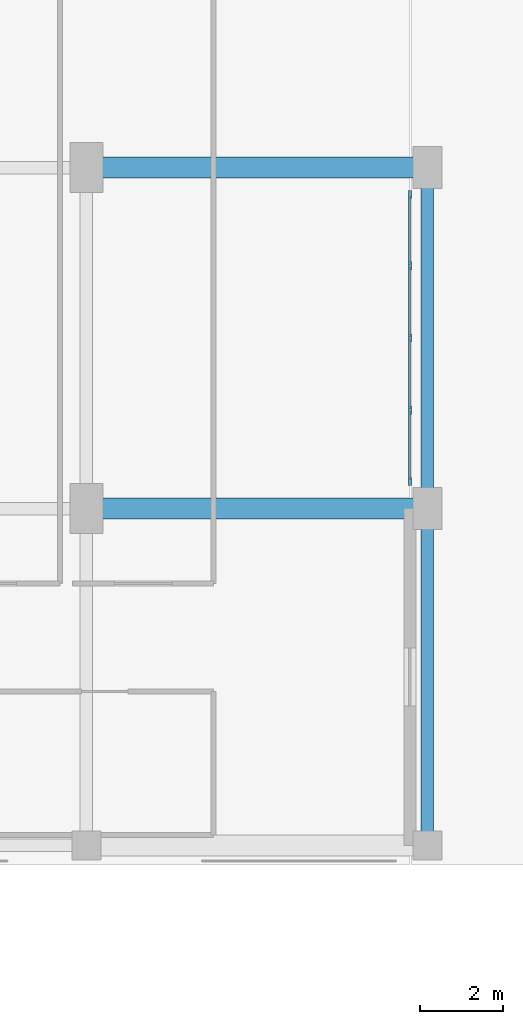
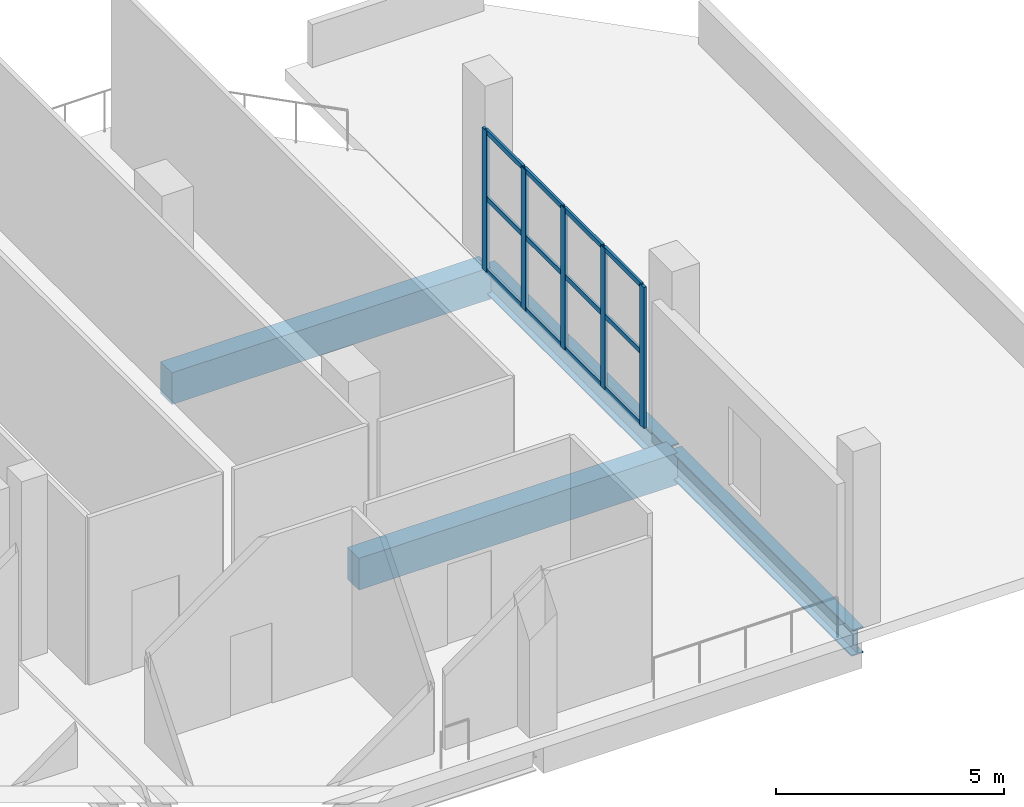
# One storey, part 72 of 142: 17 members, 4 beams, 1 element without a shape of its own.
"""IFC4 building model written with IfcOpenShell, lengths in metres."""

from ifc_helpers import new_model, si_unit, direction, frame, origin, origin_2d, place, context, subcontext, project, spatial, rectangle, i_section, extrude, material, material_profile, profile_set, type_object, element, aggregate, save


model = new_model("IFC4")

# Units and contexts
model_context = context("Model", 3, precision=1e-05, world=origin(), true_north=direction((0.0, 1.0)))
body_context = subcontext(model_context, "Body", "Model", "MODEL_VIEW")
ifc_project = project(units=[si_unit("LENGTHUNIT", "METRE"), si_unit("AREAUNIT", "SQUARE_METRE"), si_unit("VOLUMEUNIT", "CUBIC_METRE"), si_unit("PLANEANGLEUNIT", "RADIAN"), si_unit("MASSUNIT", "GRAM", prefix="KILO")], contexts=[model_context])

# Site, building, storey
site_placement = place(None, origin())
site = spatial("IfcSite", under=ifc_project, at=site_placement, CompositionType="ELEMENT")
building_placement = place(site_placement, origin())
building = spatial("IfcBuilding", under=site, at=building_placement, Name="Koshinbarg Plaza Stadium", CompositionType="ELEMENT")
storey_placement = place(building_placement, frame((0.0, 0.0, 10.199951171875)))
storey = spatial("IfcBuildingStorey", under=building, at=storey_placement, Name="L02", CompositionType="ELEMENT", Elevation=10.199951171875)

# Beams
ifc_material_1 = material(Name="Concrete C40/50", Category="concrete")
ifc_material_profile_1 = material_profile(ifc_material_1, rectangle(XDim=0.5, YDim=0.85009765625, at=origin_2d()), Name="RC 500x850")
ifc_profile_set_1 = profile_set([ifc_material_profile_1], Name="Concrete C40/50")
beam_type_1 = type_object("IfcBeamType", Name="BM-RCG-05", PredefinedType="USERDEFINED", material=ifc_profile_set_1)
for number, where, z_axis, x_axis, name in (
    (1, (227.659912109375, 135.60009765625, -0.724853515625), (1.0, 0.0, 0.0), (0.0, 1.0, 0.0), "L02 X girder T/23-24"),
    (2, (227.659912109375, 143.800048828125, -0.724853515625), (1.0, 0.0, 0.0), (0.0, 1.0, 0.0), "L02 X girder U/23-24"),
):
    element("IfcBeam", number, at=place(storey_placement, frame(where, z_axis=z_axis, x_axis=x_axis)), inside=storey, type_object=beam_type_1, Name=name, ObjectType="GIRDER", PredefinedType="USERDEFINED", context=body_context, shape_type="SweptSolid", body=[
        extrude(rectangle(XDim=0.5, YDim=0.85009765625, at=origin_2d()), origin(), (0.0, 0.0, 1.0), 8.080078125),
    ])
ifc_material_2 = material(Name="Steel S355", Category="steel")
ifc_material_profile_2 = material_profile(ifc_material_2, i_section(OverallWidth=0.300048828125, OverallDepth=0.699951171875, WebThickness=0.01708984375, FlangeThickness=0.031982421875, at=origin_2d()), Name="HEB 700")
ifc_profile_set_2 = profile_set([ifc_material_profile_2], Name="Steel S355")
beam_type_2 = type_object("IfcBeamType", Name="BM-SGIR-03", PredefinedType="USERDEFINED", material=ifc_profile_set_2)
beam_1_placement = place(storey_placement, frame((235.800048828125, 127.56005859375, -0.64990234375), z_axis=(0.0, 1.0, 0.0), x_axis=(-1.0, 0.0, 0.0)))
element("IfcBeam", 3, at=beam_1_placement, inside=storey, type_object=beam_type_2, Name="L02 Y girder 24/S-T", ObjectType="GIRDER", PredefinedType="USERDEFINED", context=body_context, shape_type="SweptSolid", body=[
    extrude(i_section(OverallWidth=0.300048828125, OverallDepth=0.699951171875, WebThickness=0.01708984375, FlangeThickness=0.031982421875, at=origin_2d()), origin(), (0.0, 0.0, 1.0), 7.97998046875),
])
beam_2_placement = place(storey_placement, frame((235.800048828125, 135.659912109375, -0.64990234375), z_axis=(0.0, 1.0, 0.0), x_axis=(-1.0, 0.0, 0.0)))
element("IfcBeam", 4, at=beam_2_placement, inside=storey, type_object=beam_type_2, Name="L02 Y girder 24/T-U", ObjectType="GIRDER", PredefinedType="USERDEFINED", context=body_context, shape_type="SweptSolid", body=[
    extrude(i_section(OverallWidth=0.300048828125, OverallDepth=0.699951171875, WebThickness=0.01708984375, FlangeThickness=0.031982421875, at=origin_2d()), origin(), (0.0, 0.0, 1.0), 8.080078125),
])

# Curtain wall, members
ifc_material_3 = material(Name="Thermally broken anodised aluminium and low-E double glazing", Category="aluminium")
curtain_wall_type = type_object("IfcCurtainWallType", Name="CW-SYS-12", PredefinedType="NOTDEFINED", material=ifc_material_3)
curtain_wall_placement = place(storey_placement, origin())
curtain_wall = element("IfcCurtainWall", 5, at=curtain_wall_placement, inside=storey, type_object=curtain_wall_type, Name="L02 unitised curtain wall CW-L02-059", PredefinedType="NOTDEFINED")
ifc_material_4 = material(Name="Anodised aluminium mullion", Category="aluminium")
ifc_material_profile_3 = material_profile(ifc_material_4, rectangle(XDim=0.070068359375, YDim=0.199951171875, at=origin_2d()), Name="ALU 70x200")
ifc_profile_set_3 = profile_set([ifc_material_profile_3], Name="Anodised aluminium mullion")
member_type_1 = type_object("IfcMemberType", Name="CW-MUL-04", PredefinedType="MULLION", material=ifc_profile_set_3)
member_1_placement = place(storey_placement, frame((235.3798828125, 143.14990234375, 0.0), z_axis=(0.0, 0.0, 1.0), x_axis=(1.0, 0.0, 0.0)))
member_1 = element("IfcMember", 6, at=member_1_placement, type_object=member_type_1, Name="CW12 mullion 1", PredefinedType="MULLION", context=body_context, shape_type="SweptSolid", body=[
    extrude(rectangle(XDim=0.070068359375, YDim=0.199951171875, at=origin_2d()), origin(), (0.0, 0.0, 1.0), 3.780029296875),
])
member_2_placement = place(storey_placement, frame((235.3798828125, 141.43994140625, 0.0), z_axis=(0.0, 0.0, 1.0), x_axis=(1.0, 0.0, 0.0)))
member_2 = element("IfcMember", 7, at=member_2_placement, type_object=member_type_1, Name="CW12 mullion 2", PredefinedType="MULLION", context=body_context, shape_type="SweptSolid", body=[
    extrude(rectangle(XDim=0.070068359375, YDim=0.199951171875, at=origin_2d()), origin(), (0.0, 0.0, 1.0), 3.780029296875),
])
member_3_placement = place(storey_placement, frame((235.3798828125, 139.699951171875, 0.0), z_axis=(0.0, 0.0, 1.0), x_axis=(1.0, 0.0, 0.0)))
member_3 = element("IfcMember", 8, at=member_3_placement, type_object=member_type_1, Name="CW12 mullion 3", PredefinedType="MULLION", context=body_context, shape_type="SweptSolid", body=[
    extrude(rectangle(XDim=0.070068359375, YDim=0.199951171875, at=origin_2d()), origin(), (0.0, 0.0, 1.0), 3.780029296875),
])
member_4_placement = place(storey_placement, frame((235.3798828125, 137.9599609375, 0.0), z_axis=(0.0, 0.0, 1.0), x_axis=(1.0, 0.0, 0.0)))
member_4 = element("IfcMember", 9, at=member_4_placement, type_object=member_type_1, Name="CW12 mullion 4", PredefinedType="MULLION", context=body_context, shape_type="SweptSolid", body=[
    extrude(rectangle(XDim=0.070068359375, YDim=0.199951171875, at=origin_2d()), origin(), (0.0, 0.0, 1.0), 3.780029296875),
])
member_5_placement = place(storey_placement, frame((235.3798828125, 136.25, 0.0), z_axis=(0.0, 0.0, 1.0), x_axis=(1.0, 0.0, 0.0)))
member_5 = element("IfcMember", 10, at=member_5_placement, type_object=member_type_1, Name="CW12 mullion 5", PredefinedType="MULLION", context=body_context, shape_type="SweptSolid", body=[
    extrude(rectangle(XDim=0.070068359375, YDim=0.199951171875, at=origin_2d()), origin(), (0.0, 0.0, 1.0), 3.780029296875),
])
ifc_material_5 = material(Name="Anodised aluminium transom", Category="aluminium")
ifc_material_profile_4 = material_profile(ifc_material_5, rectangle(XDim=0.06005859375, YDim=0.1298828125, at=origin_2d()), Name="ALU 60x130")
ifc_profile_set_4 = profile_set([ifc_material_profile_4], Name="Anodised aluminium transom")
member_type_2 = type_object("IfcMemberType", Name="CW-TRN-02", PredefinedType="USERDEFINED", material=ifc_profile_set_4)
member_6_placement = place(storey_placement, frame((235.3798828125, 143.1201171875, 0.030029296875), z_axis=(0.0, -1.0, 0.0), x_axis=(1.0, 0.0, 0.0)))
member_6 = element("IfcMember", 11, at=member_6_placement, type_object=member_type_2, Name="CW12 transom 1.1", ObjectType="TRANSOM", PredefinedType="USERDEFINED", context=body_context, shape_type="SweptSolid", body=[
    extrude(rectangle(XDim=0.06005859375, YDim=0.1298828125, at=origin_2d()), origin(), (0.0, 0.0, 1.0), 1.650146484375),
])
member_7_placement = place(storey_placement, frame((235.3798828125, 143.1201171875, 1.965576171875), z_axis=(0.0, -1.0, 0.0), x_axis=(1.0, 0.0, 0.0)))
member_7 = element("IfcMember", 12, at=member_7_placement, type_object=member_type_2, Name="CW12 transom 1.2", ObjectType="TRANSOM", PredefinedType="USERDEFINED", context=body_context, shape_type="SweptSolid", body=[
    extrude(rectangle(XDim=0.06005859375, YDim=0.1298828125, at=origin_2d()), origin(), (0.0, 0.0, 1.0), 1.650146484375),
])
member_8_placement = place(storey_placement, frame((235.3798828125, 143.1201171875, 3.75), z_axis=(0.0, -1.0, 0.0), x_axis=(1.0, 0.0, 0.0)))
member_8 = element("IfcMember", 13, at=member_8_placement, type_object=member_type_2, Name="CW12 transom 1.3", ObjectType="TRANSOM", PredefinedType="USERDEFINED", context=body_context, shape_type="SweptSolid", body=[
    extrude(rectangle(XDim=0.06005859375, YDim=0.1298828125, at=origin_2d()), origin(), (0.0, 0.0, 1.0), 1.650146484375),
])
member_9_placement = place(storey_placement, frame((235.3798828125, 141.409912109375, 0.030029296875), z_axis=(0.0, -1.0, 0.0), x_axis=(1.0, 0.0, 0.0)))
member_9 = element("IfcMember", 14, at=member_9_placement, type_object=member_type_2, Name="CW12 transom 2.1", ObjectType="TRANSOM", PredefinedType="USERDEFINED", context=body_context, shape_type="SweptSolid", body=[
    extrude(rectangle(XDim=0.06005859375, YDim=0.1298828125, at=origin_2d()), origin(), (0.0, 0.0, 1.0), 1.679931640625),
])
member_10_placement = place(storey_placement, frame((235.3798828125, 141.409912109375, 1.965576171875), z_axis=(0.0, -1.0, 0.0), x_axis=(1.0, 0.0, 0.0)))
member_10 = element("IfcMember", 15, at=member_10_placement, type_object=member_type_2, Name="CW12 transom 2.2", ObjectType="TRANSOM", PredefinedType="USERDEFINED", context=body_context, shape_type="SweptSolid", body=[
    extrude(rectangle(XDim=0.06005859375, YDim=0.1298828125, at=origin_2d()), origin(), (0.0, 0.0, 1.0), 1.679931640625),
])
member_11_placement = place(storey_placement, frame((235.3798828125, 141.409912109375, 3.75), z_axis=(0.0, -1.0, 0.0), x_axis=(1.0, 0.0, 0.0)))
member_11 = element("IfcMember", 16, at=member_11_placement, type_object=member_type_2, Name="CW12 transom 2.3", ObjectType="TRANSOM", PredefinedType="USERDEFINED", context=body_context, shape_type="SweptSolid", body=[
    extrude(rectangle(XDim=0.06005859375, YDim=0.1298828125, at=origin_2d()), origin(), (0.0, 0.0, 1.0), 1.679931640625),
])
member_12_placement = place(storey_placement, frame((235.3798828125, 139.669921875, 0.030029296875), z_axis=(0.0, -1.0, 0.0), x_axis=(1.0, 0.0, 0.0)))
member_12 = element("IfcMember", 17, at=member_12_placement, type_object=member_type_2, Name="CW12 transom 3.1", ObjectType="TRANSOM", PredefinedType="USERDEFINED", context=body_context, shape_type="SweptSolid", body=[
    extrude(rectangle(XDim=0.06005859375, YDim=0.1298828125, at=origin_2d()), origin(), (0.0, 0.0, 1.0), 1.679931640625),
])
member_13_placement = place(storey_placement, frame((235.3798828125, 139.669921875, 1.965576171875), z_axis=(0.0, -1.0, 0.0), x_axis=(1.0, 0.0, 0.0)))
member_13 = element("IfcMember", 18, at=member_13_placement, type_object=member_type_2, Name="CW12 transom 3.2", ObjectType="TRANSOM", PredefinedType="USERDEFINED", context=body_context, shape_type="SweptSolid", body=[
    extrude(rectangle(XDim=0.06005859375, YDim=0.1298828125, at=origin_2d()), origin(), (0.0, 0.0, 1.0), 1.679931640625),
])
member_14_placement = place(storey_placement, frame((235.3798828125, 139.669921875, 3.75), z_axis=(0.0, -1.0, 0.0), x_axis=(1.0, 0.0, 0.0)))
member_14 = element("IfcMember", 19, at=member_14_placement, type_object=member_type_2, Name="CW12 transom 3.3", ObjectType="TRANSOM", PredefinedType="USERDEFINED", context=body_context, shape_type="SweptSolid", body=[
    extrude(rectangle(XDim=0.06005859375, YDim=0.1298828125, at=origin_2d()), origin(), (0.0, 0.0, 1.0), 1.679931640625),
])
member_15_placement = place(storey_placement, frame((235.3798828125, 137.929931640625, 0.030029296875), z_axis=(0.0, -1.0, 0.0), x_axis=(1.0, 0.0, 0.0)))
member_15 = element("IfcMember", 20, at=member_15_placement, type_object=member_type_2, Name="CW12 transom 4.1", ObjectType="TRANSOM", PredefinedType="USERDEFINED", context=body_context, shape_type="SweptSolid", body=[
    extrude(rectangle(XDim=0.06005859375, YDim=0.1298828125, at=origin_2d()), origin(), (0.0, 0.0, 1.0), 1.64990234375),
])
member_16_placement = place(storey_placement, frame((235.3798828125, 137.929931640625, 1.965576171875), z_axis=(0.0, -1.0, 0.0), x_axis=(1.0, 0.0, 0.0)))
member_16 = element("IfcMember", 21, at=member_16_placement, type_object=member_type_2, Name="CW12 transom 4.2", ObjectType="TRANSOM", PredefinedType="USERDEFINED", context=body_context, shape_type="SweptSolid", body=[
    extrude(rectangle(XDim=0.06005859375, YDim=0.1298828125, at=origin_2d()), origin(), (0.0, 0.0, 1.0), 1.64990234375),
])
member_17_placement = place(storey_placement, frame((235.3798828125, 137.929931640625, 3.75), z_axis=(0.0, -1.0, 0.0), x_axis=(1.0, 0.0, 0.0)))
member_17 = element("IfcMember", 22, at=member_17_placement, type_object=member_type_2, Name="CW12 transom 4.3", ObjectType="TRANSOM", PredefinedType="USERDEFINED", context=body_context, shape_type="SweptSolid", body=[
    extrude(rectangle(XDim=0.06005859375, YDim=0.1298828125, at=origin_2d()), origin(), (0.0, 0.0, 1.0), 1.64990234375),
])
aggregate(curtain_wall, [member_1, member_2, member_3, member_4, member_5, member_6, member_7, member_8, member_9, member_10, member_11, member_12, member_13, member_14, member_15, member_16, member_17])

save(model, "model.ifc")
